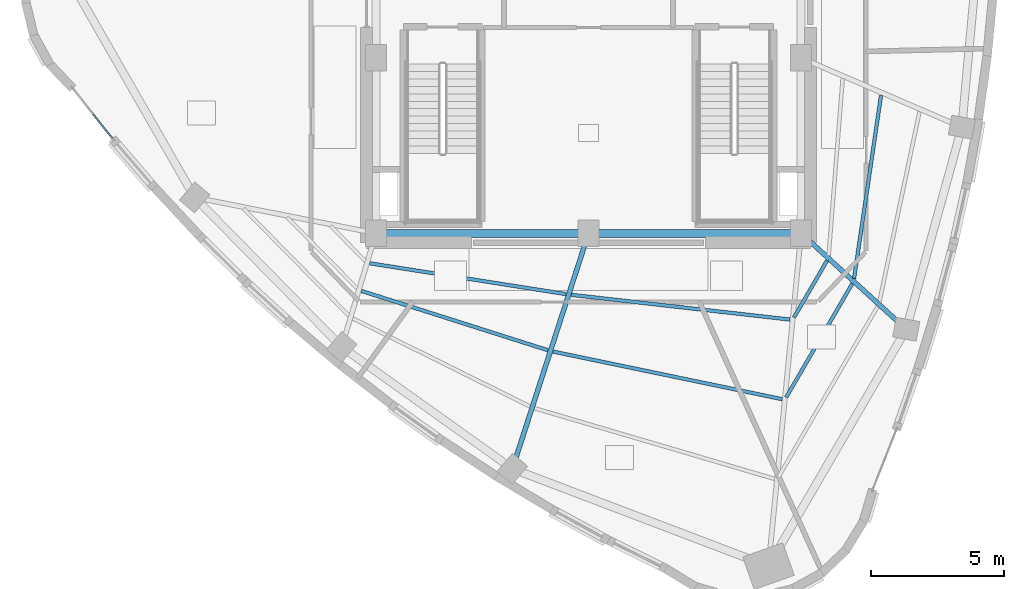
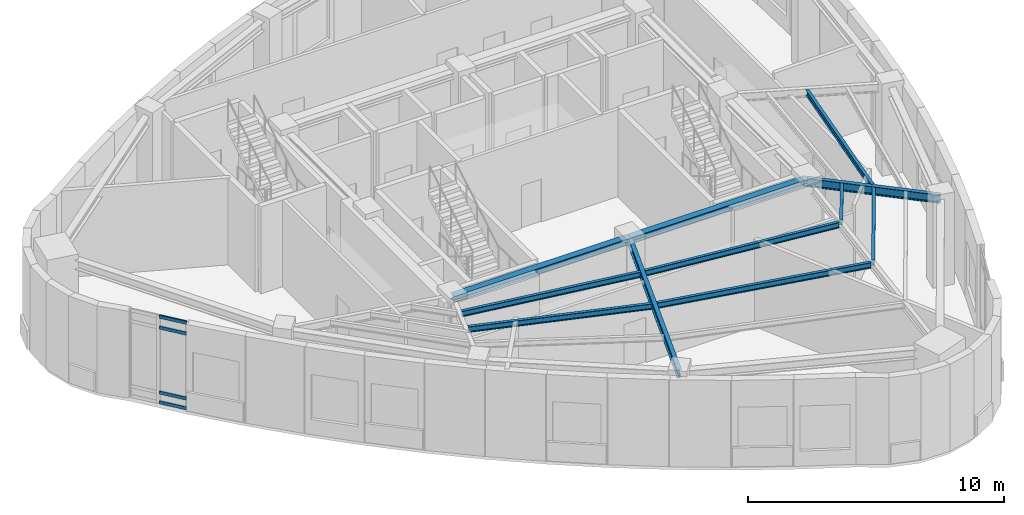
# One storey, part 3 of 13: 11 beams, 4 members, 1 element without a shape of its own.
"""IFC4 building model written with IfcOpenShell, lengths in metres."""

from ifc_helpers import new_model, si_unit, direction, frame, origin, origin_2d, place, context, subcontext, project, spatial, hollow_rectangle, i_section, extrude, material, layer, layer_set, material_profile, profile_set, type_object, element, aggregate, save


model = new_model("IFC4")

# Units and contexts
model_context = context("Model", 3, precision=1e-05, world=origin(), true_north=direction((0.0, 1.0)))
body_context = subcontext(model_context, "Body", "Model", "MODEL_VIEW")
ifc_project = project(units=[si_unit("LENGTHUNIT", "METRE"), si_unit("AREAUNIT", "SQUARE_METRE"), si_unit("VOLUMEUNIT", "CUBIC_METRE"), si_unit("PLANEANGLEUNIT", "RADIAN"), si_unit("MASSUNIT", "GRAM", prefix="KILO")], contexts=[model_context])

# Site, building, storey
site_placement = place(None, origin())
site = spatial("IfcSite", under=ifc_project, at=site_placement, CompositionType="ELEMENT")
building_placement = place(site_placement, origin())
building = spatial("IfcBuilding", under=site, at=building_placement, Name="Ndelora Gate Hotel", CompositionType="ELEMENT")
storey_placement = place(building_placement, frame((0.0, 0.0, 272.800048828125)))
storey = spatial("IfcBuildingStorey", under=building, at=storey_placement, Name="L68", CompositionType="ELEMENT", Elevation=272.800048828125)

# Beams
ifc_material_1 = material(Name="Steel S355", Category="steel")
ifc_material_profile_1 = material_profile(ifc_material_1, i_section(OverallWidth=0.300048828125, OverallDepth=0.300048828125, WebThickness=0.010986328125, FlangeThickness=0.01904296875, FilletRadius=0.027099609375, at=origin_2d()), Name="HEB 300")
ifc_profile_set_1 = profile_set([ifc_material_profile_1], Name="Steel S355")
beam_type_1 = type_object("IfcBeamType", Name="BM-CORE-300", PredefinedType="BEAM", material=ifc_profile_set_1)
for number, where, z_axis, x_axis, name in (
    (1, (-8.0, -6.60009765625, 4.0), (1.0, 0.0, 0.0), (0.0, 1.0, 0.0), "L68 Core Tie Girder CC1-CC2"),
    (2, (0.0, -6.60009765625, 4.0), (1.0, 0.0, 0.0), (0.0, 1.0, 0.0), "L68 Core Tie Girder CC2-CC3"),
):
    element("IfcBeam", number, at=place(storey_placement, frame(where, z_axis=z_axis, x_axis=x_axis)), inside=storey, type_object=beam_type_1, Name=name, PredefinedType="BEAM", context=body_context, shape_type="SweptSolid", body=[
        extrude(i_section(OverallWidth=0.300048828125, OverallDepth=0.300048828125, WebThickness=0.010986328125, FlangeThickness=0.01904296875, FilletRadius=0.027099609375, at=origin_2d()), origin(), (0.0, 0.0, 1.0), 8.0),
    ])
ifc_material_profile_2 = material_profile(ifc_material_1, i_section(OverallWidth=0.135009765625, OverallDepth=0.27001953125, WebThickness=0.006591796875, FlangeThickness=0.01025390625, FilletRadius=0.014892578125, at=origin_2d()), Name="IPE 270")
ifc_profile_set_2 = profile_set([ifc_material_profile_2], Name="Steel S355")
beam_type_2 = type_object("IfcBeamType", Name="BM-JST-270", PredefinedType="JOIST", material=ifc_profile_set_2)
beam_1_placement = place(storey_placement, frame((-8.236328125, -7.727294921875, 4.014892578125), z_axis=(0.987888558734, -0.155165058961, 0.0), x_axis=(0.155165058961, 0.987888558734, 0.0)))
element("IfcBeam", 3, at=beam_1_placement, inside=storey, type_object=beam_type_2, Name="L68 Secondary Composite Floor Joist IN-3", PredefinedType="JOIST", context=body_context, shape_type="SweptSolid", body=[
    extrude(i_section(OverallWidth=0.135009765625, OverallDepth=0.27001953125, WebThickness=0.006591796875, FlangeThickness=0.01025390625, FilletRadius=0.014892578125, at=origin_2d()), origin(), (0.0, 0.0, 1.0), 7.483154296875),
])
beam_2_placement = place(storey_placement, frame((-8.54931640625, -8.768310546875, 4.014892578125), z_axis=(0.95300799864, -0.302945134517, 0.0), x_axis=(0.302945134517, 0.95300799864, 0.0)))
element("IfcBeam", 4, at=beam_2_placement, inside=storey, type_object=beam_type_2, Name="L68 Secondary Composite Floor Joist MID-3", PredefinedType="JOIST", context=body_context, shape_type="SweptSolid", body=[
    extrude(i_section(OverallWidth=0.135009765625, OverallDepth=0.27001953125, WebThickness=0.006591796875, FlangeThickness=0.01025390625, FilletRadius=0.014892578125, at=origin_2d()), origin(), (0.0, 0.0, 1.0), 7.367431640625),
])
beam_3_placement = place(storey_placement, frame((-0.645751953125, -8.9150390625, 4.014892578125), z_axis=(0.993666082795, -0.112373110227, 0.0), x_axis=(0.112373110227, 0.993666082795, 0.0)))
element("IfcBeam", 5, at=beam_3_placement, inside=storey, type_object=beam_type_2, Name="L68 Secondary Composite Floor Joist IN-4", PredefinedType="JOIST", context=body_context, shape_type="SweptSolid", body=[
    extrude(i_section(OverallWidth=0.135009765625, OverallDepth=0.27001953125, WebThickness=0.006591796875, FlangeThickness=0.01025390625, FilletRadius=0.014892578125, at=origin_2d()), origin(), (0.0, 0.0, 1.0), 8.27978515625),
])
beam_4_placement = place(storey_placement, frame((-1.334716796875, -11.05078125, 4.014892578125), z_axis=(0.979088439748, -0.203435068637, 0.0), x_axis=(0.203435068637, 0.979088439748, 0.0)))
element("IfcBeam", 6, at=beam_4_placement, inside=storey, type_object=beam_type_2, Name="L68 Secondary Composite Floor Joist MID-4", PredefinedType="JOIST", context=body_context, shape_type="SweptSolid", body=[
    extrude(i_section(OverallWidth=0.135009765625, OverallDepth=0.27001953125, WebThickness=0.006591796875, FlangeThickness=0.01025390625, FilletRadius=0.014892578125, at=origin_2d()), origin(), (0.0, 0.0, 1.0), 8.807373046875),
])
beam_5_placement = place(storey_placement, frame((7.731201171875, -9.770263671875, 4.014892578125), z_axis=(0.502726490322, 0.864445530921, 0.0), x_axis=(-0.864445530921, 0.502726490322, 0.0)))
element("IfcBeam", 7, at=beam_5_placement, inside=storey, type_object=beam_type_2, Name="L68 Secondary Composite Floor Joist IN-5", PredefinedType="JOIST", context=body_context, shape_type="SweptSolid", body=[
    extrude(i_section(OverallWidth=0.135009765625, OverallDepth=0.27001953125, WebThickness=0.006591796875, FlangeThickness=0.01025390625, FilletRadius=0.014892578125, at=origin_2d()), origin(), (0.0, 0.0, 1.0), 2.481201171875),
])
beam_6_placement = place(storey_placement, frame((7.436767578125, -12.776611328125, 4.014892578125), z_axis=(0.50271891842, 0.864449934388, 0.0), x_axis=(-0.864449934388, 0.50271891842, 0.0)))
element("IfcBeam", 8, at=beam_6_placement, inside=storey, type_object=beam_type_2, Name="L68 Secondary Composite Floor Joist MID-5", PredefinedType="JOIST", context=body_context, shape_type="SweptSolid", body=[
    extrude(i_section(OverallWidth=0.135009765625, OverallDepth=0.27001953125, WebThickness=0.006591796875, FlangeThickness=0.01025390625, FilletRadius=0.014892578125, at=origin_2d()), origin(), (0.0, 0.0, 1.0), 4.9560546875),
])
beam_7_placement = place(storey_placement, frame((9.992919921875, -8.30712890625, 4.014892578125), z_axis=(0.145767847032, 0.989318823621, 0.0), x_axis=(-0.989318823621, 0.145767847032, 0.0)))
element("IfcBeam", 9, at=beam_7_placement, inside=storey, type_object=beam_type_2, Name="L68 Secondary Composite Floor Joist MID-6", PredefinedType="JOIST", context=body_context, shape_type="SweptSolid", body=[
    extrude(i_section(OverallWidth=0.135009765625, OverallDepth=0.27001953125, WebThickness=0.006591796875, FlangeThickness=0.01025390625, FilletRadius=0.014892578125, at=origin_2d()), origin(), (0.0, 0.0, 1.0), 6.980712890625),
])
ifc_material_profile_3 = material_profile(ifc_material_1, i_section(OverallWidth=0.179931640625, OverallDepth=0.39990234375, WebThickness=0.008544921875, FlangeThickness=0.013427734375, FilletRadius=0.02099609375, at=origin_2d()), Name="IPE 400")
ifc_profile_set_3 = profile_set([ifc_material_profile_3], Name="Steel S355")
beam_type_3 = type_object("IfcBeamType", Name="BM-RAD-400", PredefinedType="BEAM", material=ifc_profile_set_3)
beam_8_placement = place(storey_placement, frame((0.0, -6.60009765625, 3.949951171875), z_axis=(-0.307689759964, -0.951486737487, 0.0), x_axis=(0.951486737487, -0.307689759964, 0.0)))
element("IfcBeam", 10, at=beam_8_placement, inside=storey, type_object=beam_type_3, Name="L68 Radial Floor Girder 4", PredefinedType="BEAM", context=body_context, shape_type="SweptSolid", body=[
    extrude(i_section(OverallWidth=0.179931640625, OverallDepth=0.39990234375, WebThickness=0.008544921875, FlangeThickness=0.013427734375, FilletRadius=0.02099609375, at=origin_2d()), origin(), (0.0, 0.0, 1.0), 9.31298828125),
])
beam_9_placement = place(storey_placement, frame((8.0, -6.60009765625, 3.949951171875), z_axis=(0.73854665752, -0.674202369223, 0.0), x_axis=(0.674202369223, 0.73854665752, 0.0)))
element("IfcBeam", 11, at=beam_9_placement, inside=storey, type_object=beam_type_3, Name="L68 Radial Floor Girder 6", PredefinedType="BEAM", context=body_context, shape_type="SweptSolid", body=[
    extrude(i_section(OverallWidth=0.179931640625, OverallDepth=0.39990234375, WebThickness=0.008544921875, FlangeThickness=0.013427734375, FilletRadius=0.02099609375, at=origin_2d()), origin(), (0.0, 0.0, 1.0), 5.357421875),
])

# Curtain wall, members
ifc_material_2 = material(Name="Bronze Anodised Unitised Aluminium and Low-E Glass", Category="aluminium")
ifc_layer = layer(ifc_material_2, 0.219970703125)
ifc_layer_set = layer_set([ifc_layer], Name="Bronze Anodised Unitised Aluminium and Low-E Glass")
curtain_wall_type = type_object("IfcCurtainWallType", Name="CW-SYS-6", PredefinedType="NOTDEFINED", material=ifc_layer_set)
curtain_wall_placement = place(storey_placement, origin())
curtain_wall = element("IfcCurtainWall", 12, at=curtain_wall_placement, inside=storey, type_object=curtain_wall_type, Name="L68 Crown Sky-Restaurant & Cocktail Bar Curtain Wall 1", PredefinedType="NOTDEFINED")
ifc_material_3 = material(Name="Bronze Anodised Aluminium 6063-T6", Category="aluminium")
ifc_material_profile_4 = material_profile(ifc_material_3, hollow_rectangle(XDim=0.06494140625, YDim=0.159912109375, WallThickness=0.00390625, InnerFilletRadius=0.00390625, OuterFilletRadius=0.008056640625, at=origin_2d()), Name="ALU 160x65x4")
ifc_profile_set_4 = profile_set([ifc_material_profile_4], Name="Bronze Anodised Aluminium 6063-T6")
member_type = type_object("IfcMemberType", Name="MB-CW-TRN150", PredefinedType="USERDEFINED", material=ifc_profile_set_4)
member_1_placement = place(storey_placement, frame((-18.64794921875, -2.11474609375, 0.032470703125), z_axis=(0.621514709143, -0.783402493179, 0.0), x_axis=(0.783402493179, 0.621514709143, 0.0)))
member_1 = element("IfcMember", 13, at=member_1_placement, type_object=member_type, Name="CW6 transom 2.1", ObjectType="TRANSOM", PredefinedType="USERDEFINED", context=body_context, shape_type="SweptSolid", body=[
    extrude(hollow_rectangle(XDim=0.06494140625, YDim=0.159912109375, WallThickness=0.00390625, InnerFilletRadius=0.00390625, OuterFilletRadius=0.008056640625, at=origin_2d()), origin(), (0.0, 0.0, 1.0), 1.162841796875),
])
member_2_placement = place(storey_placement, frame((-18.64794921875, -2.11474609375, 0.5), z_axis=(0.621514709143, -0.783402493179, 0.0), x_axis=(0.783402493179, 0.621514709143, 0.0)))
member_2 = element("IfcMember", 14, at=member_2_placement, type_object=member_type, Name="CW6 transom 2.2", ObjectType="TRANSOM", PredefinedType="USERDEFINED", context=body_context, shape_type="SweptSolid", body=[
    extrude(hollow_rectangle(XDim=0.06494140625, YDim=0.159912109375, WallThickness=0.00390625, InnerFilletRadius=0.00390625, OuterFilletRadius=0.008056640625, at=origin_2d()), origin(), (0.0, 0.0, 1.0), 1.162841796875),
])
member_3_placement = place(storey_placement, frame((-18.64794921875, -2.11474609375, 3.599853515625), z_axis=(0.621514709143, -0.783402493179, 0.0), x_axis=(0.783402493179, 0.621514709143, 0.0)))
member_3 = element("IfcMember", 15, at=member_3_placement, type_object=member_type, Name="CW6 transom 2.3", ObjectType="TRANSOM", PredefinedType="USERDEFINED", context=body_context, shape_type="SweptSolid", body=[
    extrude(hollow_rectangle(XDim=0.06494140625, YDim=0.159912109375, WallThickness=0.00390625, InnerFilletRadius=0.00390625, OuterFilletRadius=0.008056640625, at=origin_2d()), origin(), (0.0, 0.0, 1.0), 1.162841796875),
])
member_4_placement = place(storey_placement, frame((-18.64794921875, -2.11474609375, 4.117431640625), z_axis=(0.621514709143, -0.783402493179, 0.0), x_axis=(0.783402493179, 0.621514709143, 0.0)))
member_4 = element("IfcMember", 16, at=member_4_placement, type_object=member_type, Name="CW6 transom 2.4", ObjectType="TRANSOM", PredefinedType="USERDEFINED", context=body_context, shape_type="SweptSolid", body=[
    extrude(hollow_rectangle(XDim=0.06494140625, YDim=0.159912109375, WallThickness=0.00390625, InnerFilletRadius=0.00390625, OuterFilletRadius=0.008056640625, at=origin_2d()), origin(), (0.0, 0.0, 1.0), 1.162841796875),
])
aggregate(curtain_wall, [member_1, member_2, member_3, member_4])

save(model, "model.ifc")
